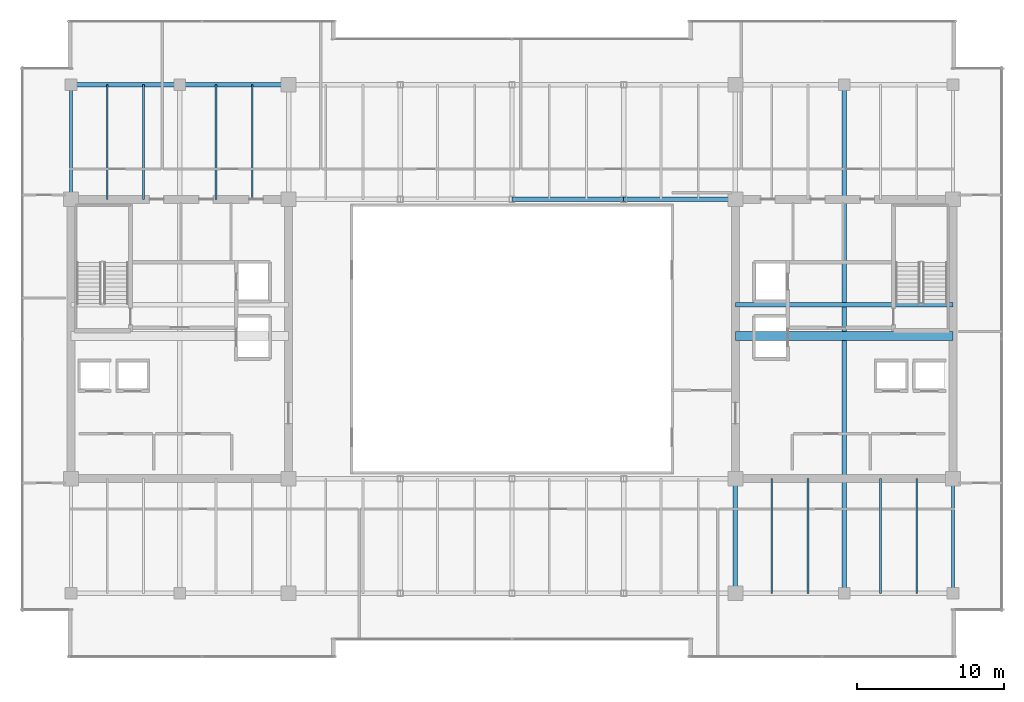
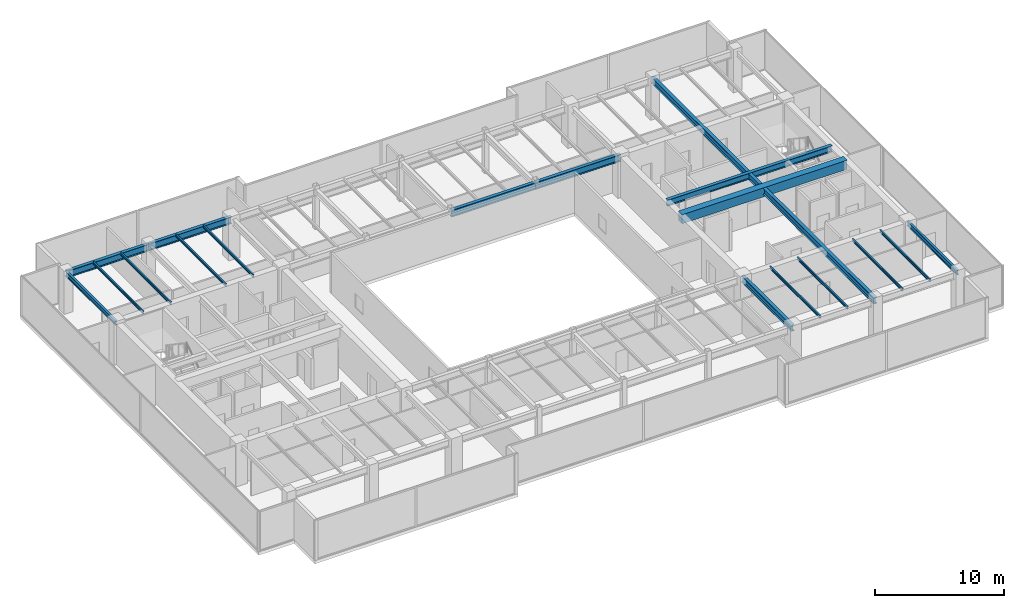
# One storey, part 14 of 33: 18 beams.
"""IFC4 building model written with IfcOpenShell, lengths in metres."""

from ifc_helpers import new_model, si_unit, direction, frame, origin, origin_2d, place, context, subcontext, project, spatial, rectangle, i_section, extrude, source, transform, mapped, material, material_profile, profile_set, type_object, type_shapes, element, save


model = new_model("IFC4")

# Units and contexts
model_context = context("Model", 3, precision=1e-05, world=origin(), true_north=direction((0.0, 1.0)))
body_context = subcontext(model_context, "Body", "Model", "MODEL_VIEW")
ifc_project = project(units=[si_unit("LENGTHUNIT", "METRE"), si_unit("AREAUNIT", "SQUARE_METRE"), si_unit("VOLUMEUNIT", "CUBIC_METRE"), si_unit("PLANEANGLEUNIT", "RADIAN"), si_unit("MASSUNIT", "GRAM", prefix="KILO")], contexts=[model_context])

# Site, building, storey
site_placement = place(None, origin())
site = spatial("IfcSite", under=ifc_project, at=site_placement, CompositionType="ELEMENT")
building_placement = place(site_placement, origin())
building = spatial("IfcBuilding", under=site, at=building_placement, Name="Haelvirn Gate Laboratories", CompositionType="ELEMENT")
storey_placement = place(building_placement, frame((0.0, 0.0, 271.10009765625)))
storey = spatial("IfcBuildingStorey", under=building, at=storey_placement, Name="L65", CompositionType="ELEMENT", Elevation=271.10009765625)

# Beams
ifc_material_1 = material(Name="Steel SM355", Category="steel")
ifc_material_profile_1 = material_profile(ifc_material_1, i_section(OverallWidth=0.300048828125, OverallDepth=0.587890625, WebThickness=0.011962890625, FlangeThickness=0.02001953125, at=origin_2d()), Name="H-588x300x12x20")
ifc_profile_set_1 = profile_set([ifc_material_profile_1], Name="Steel SM355")
beam_type_1 = type_object("IfcBeamType", Name="BM-G-588", PredefinedType="BEAM", material=ifc_profile_set_1)
shared_shape_1 = source(origin(), body_context, "Body", "SweptSolid", [
    extrude(i_section(OverallWidth=0.300048828125, OverallDepth=0.587890625, WebThickness=0.011962890625, FlangeThickness=0.02001953125, at=origin_2d()), origin(), (0.0, 0.0, 1.0), 14.7998046875),
])
beam_1_placement = place(storey_placement, frame((52.60009765625, 26.6201171875, 3.505859375), z_axis=(1.0, 0.0, 0.0), x_axis=(0.0, 1.0, 0.0)))
element("IfcBeam", 1, at=beam_1_placement, inside=storey, type_object=beam_type_1, Name="L65 Stair ST2 Landing Header", PredefinedType="BEAM", context=body_context, shape_type="MappedRepresentation", body=[
    mapped(shared_shape_1, transform((0.0, 0.0, 0.0), scale=1.0)),
])
shared_shape_2 = source(origin(), body_context, "Body", "SweptSolid", [
    extrude(i_section(OverallWidth=0.300048828125, OverallDepth=0.587890625, WebThickness=0.011962890625, FlangeThickness=0.02001953125, at=origin_2d()), origin(), (0.0, 0.0, 1.0), 34.60009765625),
])
beam_2_placement = place(storey_placement, frame((60.0, 7.0, 3.505859375), z_axis=(0.0, 1.0, 0.0), x_axis=(-1.0, 0.0, 0.0)))
element("IfcBeam", 2, at=beam_2_placement, inside=storey, type_object=beam_type_1, Name="L65 Frame Girder X60.0 (7.0-41.6)", PredefinedType="BEAM", context=body_context, shape_type="MappedRepresentation", body=[
    mapped(shared_shape_2, transform((0.0, 0.0, 0.0), scale=1.0)),
])
shared_shape_3 = source(origin(), body_context, "Body", "SweptSolid", [
    extrude(i_section(OverallWidth=0.300048828125, OverallDepth=0.587890625, WebThickness=0.011962890625, FlangeThickness=0.02001953125, at=origin_2d()), origin(), (0.0, 0.0, 1.0), 7.800048828125),
])
type_shapes(beam_type_1, [shared_shape_1, shared_shape_2, shared_shape_3])
beam_3_placement = place(storey_placement, frame((52.60009765625, 7.0, 3.505859375), z_axis=(0.0, 1.0, 0.0), x_axis=(-1.0, 0.0, 0.0)))
element("IfcBeam", 3, at=beam_3_placement, inside=storey, type_object=beam_type_1, Name="L65 Frame Girder X52.6 (7.0-14.8)", PredefinedType="BEAM", context=body_context, shape_type="MappedRepresentation", body=[
    mapped(shared_shape_3, transform((0.0, 0.0, 0.0), scale=1.0)),
])
ifc_material_2 = material(Name="Concrete C50/60", Category="concrete")
ifc_material_profile_2 = material_profile(ifc_material_2, rectangle(XDim=0.60009765625, YDim=0.85009765625, at=origin_2d()), Name="RCB-600x850")
ifc_profile_set_2 = profile_set([ifc_material_profile_2], Name="Concrete C50/60")
beam_type_2 = type_object("IfcBeamType", Name="BM-RCB-850", PredefinedType="LINTEL", material=ifc_profile_set_2)
shared_shape_4 = source(origin(), body_context, "Body", "SweptSolid", [
    extrude(rectangle(XDim=0.60009765625, YDim=0.85009765625, at=origin_2d()), origin(), (0.0, 0.0, 1.0), 14.7998046875),
])
type_shapes(beam_type_2, [shared_shape_4])
beam_4_placement = place(storey_placement, frame((52.60009765625, 24.5, 3.375), z_axis=(1.0, 0.0, 0.0), x_axis=(0.0, 1.0, 0.0)))
element("IfcBeam", 4, at=beam_4_placement, inside=storey, type_object=beam_type_2, Name="L65 East Core Coupling Beam", PredefinedType="LINTEL", context=body_context, shape_type="MappedRepresentation", body=[
    mapped(shared_shape_4, transform((0.0, 0.0, 0.0), scale=1.0)),
])
ifc_material_profile_3 = material_profile(ifc_material_1, i_section(OverallWidth=0.300048828125, OverallDepth=0.64990234375, WebThickness=0.012939453125, FlangeThickness=0.02197265625, at=origin_2d()), Name="H-650x300x13x22")
ifc_profile_set_3 = profile_set([ifc_material_profile_3], Name="Steel SM355")
beam_type_3 = type_object("IfcBeamType", Name="BM-G-650", PredefinedType="BEAM", material=ifc_profile_set_3)
shared_shape_5 = source(origin(), body_context, "Body", "SweptSolid", [
    extrude(i_section(OverallWidth=0.300048828125, OverallDepth=0.64990234375, WebThickness=0.012939453125, FlangeThickness=0.02197265625, at=origin_2d()), origin(), (0.0, 0.0, 1.0), 7.400146484375),
])
beam_5_placement = place(storey_placement, frame((7.39990234375, 41.60009765625, 3.474853515625), z_axis=(1.0, 0.0, 0.0), x_axis=(0.0, 1.0, 0.0)))
element("IfcBeam", 5, at=beam_5_placement, inside=storey, type_object=beam_type_3, Name="L65 Primary Girder Y41.6 (7.4-14.8)", PredefinedType="BEAM", context=body_context, shape_type="MappedRepresentation", body=[
    mapped(shared_shape_5, transform((0.0, 0.0, 0.0), scale=1.0)),
])
shared_shape_6 = source(origin(), body_context, "Body", "SweptSolid", [
    extrude(i_section(OverallWidth=0.300048828125, OverallDepth=0.64990234375, WebThickness=0.012939453125, FlangeThickness=0.02197265625, at=origin_2d()), origin(), (0.0, 0.0, 1.0), 7.39990234375),
])
beam_6_placement = place(storey_placement, frame((14.800048828125, 41.60009765625, 3.474853515625), z_axis=(1.0, 0.0, 0.0), x_axis=(0.0, 1.0, 0.0)))
element("IfcBeam", 6, at=beam_6_placement, inside=storey, type_object=beam_type_3, Name="L65 Primary Girder Y41.6 (14.8-22.2)", PredefinedType="BEAM", context=body_context, shape_type="MappedRepresentation", body=[
    mapped(shared_shape_6, transform((0.0, 0.0, 0.0), scale=1.0)),
])
shared_shape_7 = source(origin(), body_context, "Body", "SweptSolid", [
    extrude(i_section(OverallWidth=0.300048828125, OverallDepth=0.64990234375, WebThickness=0.012939453125, FlangeThickness=0.02197265625, at=origin_2d()), origin(), (0.0, 0.0, 1.0), 7.60009765625),
])
type_shapes(beam_type_3, [shared_shape_5, shared_shape_6, shared_shape_7])
for number, where, z_axis, x_axis, name in (
    (7, (37.39990234375, 33.800048828125, 3.474853515625), (1.0, 0.0, 0.0), (0.0, 1.0, 0.0), "L65 Primary Girder Y33.8 (37.4-45.0)"),
    (8, (45.0, 33.800048828125, 3.474853515625), (1.0, 0.0, 0.0), (0.0, 1.0, 0.0), "L65 Primary Girder Y33.8 (45.0-52.6)"),
):
    element("IfcBeam", number, at=place(storey_placement, frame(where, z_axis=z_axis, x_axis=x_axis)), inside=storey, type_object=beam_type_3, Name=name, PredefinedType="BEAM", context=body_context, shape_type="MappedRepresentation", body=[
        mapped(shared_shape_7, transform((0.0, 0.0, 0.0), scale=1.0)),
    ])
ifc_material_profile_4 = material_profile(ifc_material_1, i_section(OverallWidth=0.199951171875, OverallDepth=0.449951171875, WebThickness=0.009033203125, FlangeThickness=0.013916015625, at=origin_2d()), Name="H-450x200x9x14")
ifc_profile_set_4 = profile_set([ifc_material_profile_4], Name="Steel SM355")
beam_type_4 = type_object("IfcBeamType", Name="BM-SP-450", PredefinedType="SPANDREL", material=ifc_profile_set_4)
shared_shape_8 = source(origin(), body_context, "Body", "SweptSolid", [
    extrude(i_section(OverallWidth=0.199951171875, OverallDepth=0.449951171875, WebThickness=0.009033203125, FlangeThickness=0.013916015625, at=origin_2d()), origin(), (0.0, 0.0, 1.0), 7.800048828125),
])
type_shapes(beam_type_4, [shared_shape_8])
for number, where, z_axis, x_axis, name in (
    (9, (7.39990234375, 33.800048828125, 3.574951171875), (0.0, 1.0, 0.0), (-1.0, 0.0, 0.0), "L65 Perimeter Spandrel X7.4 (33.8-41.6)"),
    (10, (67.39990234375, 7.0, 3.574951171875), (0.0, 1.0, 0.0), (-1.0, 0.0, 0.0), "L65 Perimeter Spandrel X67.4 (7.0-14.8)"),
):
    element("IfcBeam", number, at=place(storey_placement, frame(where, z_axis=z_axis, x_axis=x_axis)), inside=storey, type_object=beam_type_4, Name=name, PredefinedType="SPANDREL", context=body_context, shape_type="MappedRepresentation", body=[
        mapped(shared_shape_8, transform((0.0, 0.0, 0.0), scale=1.0)),
    ])
ifc_material_profile_5 = material_profile(ifc_material_1, i_section(OverallWidth=0.125, OverallDepth=0.25, WebThickness=0.006103515625, FlangeThickness=0.009033203125, at=origin_2d()), Name="H-250x125x6x9")
ifc_profile_set_5 = profile_set([ifc_material_profile_5], Name="Steel SM355")
beam_type_5 = type_object("IfcBeamType", Name="BM-J-250", PredefinedType="JOIST", material=ifc_profile_set_5)
shared_shape_9 = source(origin(), body_context, "Body", "SweptSolid", [
    extrude(i_section(OverallWidth=0.125, OverallDepth=0.25, WebThickness=0.006103515625, FlangeThickness=0.009033203125, at=origin_2d()), origin(), (0.0, 0.0, 1.0), 7.800048828125),
])
type_shapes(beam_type_5, [shared_shape_9])
for number, where, z_axis, x_axis, name in (
    (11, (9.8701171875, 33.800048828125, 3.6748046875), (0.0, 1.0, 0.0), (-1.0, 0.0, 0.0), "L65 Composite Lab Joist North X9.87"),
    (12, (12.330078125, 33.800048828125, 3.6748046875), (0.0, 1.0, 0.0), (-1.0, 0.0, 0.0), "L65 Composite Lab Joist North X12.33"),
    (13, (17.27001953125, 33.800048828125, 3.6748046875), (0.0, 1.0, 0.0), (-1.0, 0.0, 0.0), "L65 Composite Lab Joist North X17.27"),
    (14, (19.72998046875, 33.800048828125, 3.6748046875), (0.0, 1.0, 0.0), (-1.0, 0.0, 0.0), "L65 Composite Lab Joist North X19.73"),
    (15, (55.070068359375, 7.0, 3.6748046875), (0.0, 1.0, 0.0), (-1.0, 0.0, 0.0), "L65 Composite Lab Joist South X55.07"),
    (16, (57.530029296875, 7.0, 3.6748046875), (0.0, 1.0, 0.0), (-1.0, 0.0, 0.0), "L65 Composite Lab Joist South X57.53"),
    (17, (62.469970703125, 7.0, 3.6748046875), (0.0, 1.0, 0.0), (-1.0, 0.0, 0.0), "L65 Composite Lab Joist South X62.47"),
    (18, (64.929931640625, 7.0, 3.6748046875), (0.0, 1.0, 0.0), (-1.0, 0.0, 0.0), "L65 Composite Lab Joist South X64.93"),
):
    element("IfcBeam", number, at=place(storey_placement, frame(where, z_axis=z_axis, x_axis=x_axis)), inside=storey, type_object=beam_type_5, Name=name, PredefinedType="JOIST", context=body_context, shape_type="MappedRepresentation", body=[
        mapped(shared_shape_9, transform((0.0, 0.0, 0.0), scale=1.0)),
    ])

save(model, "model.ifc")
